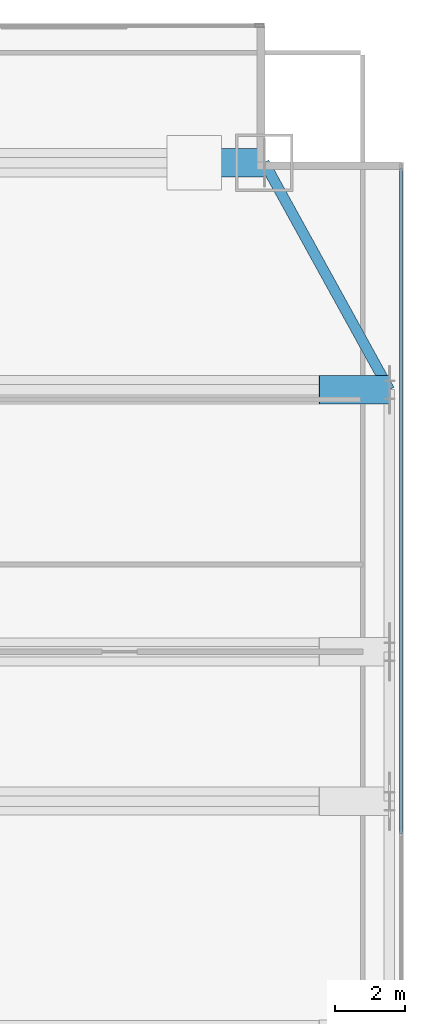
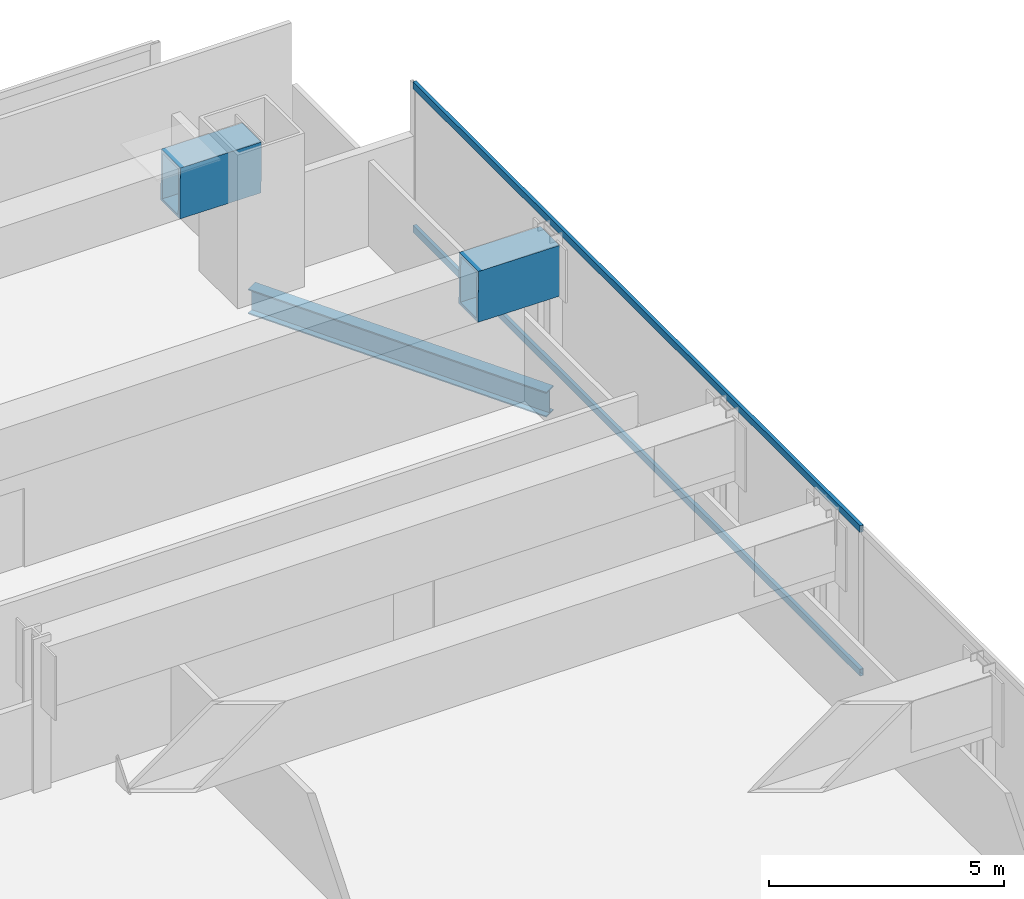
# One storey, part 21 of 32: 3 beams, 2 members, 1 element without a shape of its own.
"""IFC4 building model written with IfcOpenShell, lengths in metres."""

from ifc_helpers import new_model, si_unit, direction, frame, origin, origin_2d, place, context, subcontext, project, spatial, hollow_rectangle, i_section, extrude, material, material_profile, profile_set, type_object, element, aggregate, save


model = new_model("IFC4")

# Units and contexts
model_context = context("Model", 3, precision=1e-05, world=origin(), true_north=direction((0.0, 1.0)))
body_context = subcontext(model_context, "Body", "Model", "MODEL_VIEW")
ifc_project = project(units=[si_unit("LENGTHUNIT", "METRE"), si_unit("AREAUNIT", "SQUARE_METRE"), si_unit("VOLUMEUNIT", "CUBIC_METRE"), si_unit("PLANEANGLEUNIT", "RADIAN"), si_unit("MASSUNIT", "GRAM", prefix="KILO")], contexts=[model_context])

# Site, building, storey
site_placement = place(None, origin())
site = spatial("IfcSite", under=ifc_project, at=site_placement, CompositionType="ELEMENT")
building_placement = place(site_placement, origin())
building = spatial("IfcBuilding", under=site, at=building_placement, Name="Khoronbel Lancet Exchange", CompositionType="ELEMENT")
storey_placement = place(building_placement, frame((0.0, 0.0, 77.800048828125)))
storey = spatial("IfcBuildingStorey", under=building, at=storey_placement, Name="L18", CompositionType="ELEMENT", Elevation=77.800048828125)

# Beams
ifc_material_1 = material(Name="Steel S355", Category="steel")
ifc_material_profile_1 = material_profile(ifc_material_1, i_section(OverallWidth=0.300048828125, OverallDepth=0.64990234375, WebThickness=0.01611328125, FlangeThickness=0.031005859375, at=origin_2d()), Name="HEB 650")
ifc_profile_set_1 = profile_set([ifc_material_profile_1], Name="Steel S355")
beam_type_1 = type_object("IfcBeamType", Name="BM-BSP1", PredefinedType="SPANDREL", material=ifc_profile_set_1)
beam_placement = place(storey_placement, frame((71.6298828125, 43.199951171875, -0.505126953125), z_axis=(-0.482418808117, 0.875940690672, 0.0), x_axis=(-0.875940690672, -0.482418808117, 0.0)))
element("IfcBeam", 1, at=beam_placement, inside=storey, type_object=beam_type_1, Name="Level L18 perimeter spandrel beam SP15", PredefinedType="SPANDREL", context=body_context, shape_type="SweptSolid", body=[
    extrude(i_section(OverallWidth=0.300048828125, OverallDepth=0.64990234375, WebThickness=0.01611328125, FlangeThickness=0.031005859375, at=origin_2d()), origin(), (0.0, 0.0, 1.0), 7.420654296875),
])
ifc_material_2 = material(Name="Steel S460", Category="steel")
ifc_material_profile_2 = material_profile(ifc_material_2, hollow_rectangle(XDim=0.820068359375, YDim=1.320068359375, WallThickness=0.070068359375, at=origin_2d()), Name="BOX 820x1320x70")
ifc_profile_set_2 = profile_set([ifc_material_profile_2], Name="Steel S460")
beam_type_2 = type_object("IfcBeamType", Name="BM-TG4", PredefinedType="USERDEFINED", material=ifc_profile_set_2)
for number, where, z_axis, x_axis, name in (
    (2, (68.050048828125, 49.699951171875, 3.139892578125), (-0.99994990606, 0.0, 0.010009264196), (0.0, -1.0, 0.0), "Setback transfer knee-brace girder L18-MC-NE"),
    (3, (71.6298828125, 43.199951171875, 3.139892578125), (-0.99994990606, 0.0, 0.010009264196), (0.0, -1.0, 0.0), "Setback transfer knee-brace girder L18-EC-4"),
):
    element("IfcBeam", number, at=place(storey_placement, frame(where, z_axis=z_axis, x_axis=x_axis)), inside=storey, type_object=beam_type_2, Name=name, ObjectType="TRANSFER GIRDER", PredefinedType="USERDEFINED", context=body_context, shape_type="SweptSolid", body=[
        extrude(hollow_rectangle(XDim=0.820068359375, YDim=1.320068359375, WallThickness=0.070068359375, at=origin_2d()), origin(), (0.0, 0.0, 1.0), 2.0),
    ])

# Curtain wall, members
ifc_material_3 = material(Name="Low-E Solar Control Insulating Glass", Category="glass")
curtain_wall_type = type_object("IfcCurtainWallType", Name="CW-4", PredefinedType="NOTDEFINED", material=ifc_material_3)
curtain_wall_placement = place(storey_placement, origin())
curtain_wall = element("IfcCurtainWall", 4, at=curtain_wall_placement, inside=storey, type_object=curtain_wall_type, Name="Unitised curtain wall CW-L18-E09", PredefinedType="NOTDEFINED")
ifc_material_4 = material(Name="Bronze-Anodised Aluminium 6063-T6", Category="aluminium")
ifc_material_profile_3 = material_profile(ifc_material_4, hollow_rectangle(XDim=0.0849609375, YDim=0.179931640625, WallThickness=0.0048828125, at=origin_2d()), Name="ALU TRANSOM 85x180")
ifc_profile_set_3 = profile_set([ifc_material_profile_3], Name="Bronze-Anodised Aluminium 6063-T6")
member_type = type_object("IfcMemberType", Name="MEM-CWT1", PredefinedType="USERDEFINED", material=ifc_profile_set_3)
member_1_placement = place(storey_placement, frame((71.9599609375, 49.534912109375, 0.04248046875), z_axis=(0.0, -1.0, 0.0), x_axis=(1.0, 0.0, 0.0)))
member_1 = element("IfcMember", 5, at=member_1_placement, type_object=member_type, Name="CW4 transom 1.1", ObjectType="TRANSOM", PredefinedType="USERDEFINED", context=body_context, shape_type="SweptSolid", body=[
    extrude(hollow_rectangle(XDim=0.0849609375, YDim=0.179931640625, WallThickness=0.0048828125, at=origin_2d()), origin(), (0.0, 0.0, 1.0), 19.04736328125),
])
member_2_placement = place(storey_placement, frame((71.9599609375, 49.534912109375, 3.77734375), z_axis=(0.0, -1.0, 0.0), x_axis=(1.0, 0.0, 0.0)))
member_2 = element("IfcMember", 6, at=member_2_placement, type_object=member_type, Name="CW4 transom 1.2", ObjectType="TRANSOM", PredefinedType="USERDEFINED", context=body_context, shape_type="SweptSolid", body=[
    extrude(hollow_rectangle(XDim=0.0849609375, YDim=0.179931640625, WallThickness=0.0048828125, at=origin_2d()), origin(), (0.0, 0.0, 1.0), 19.04736328125),
])
aggregate(curtain_wall, [member_1, member_2])

save(model, "model.ifc")
